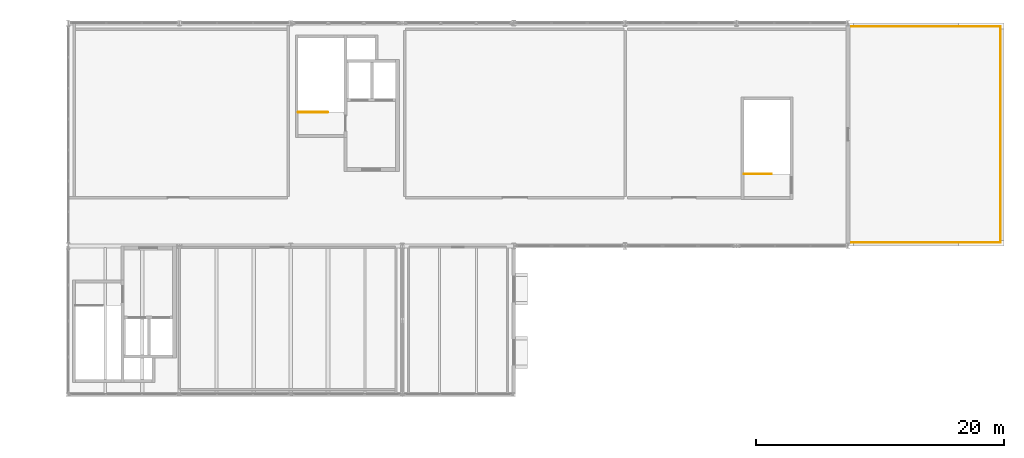
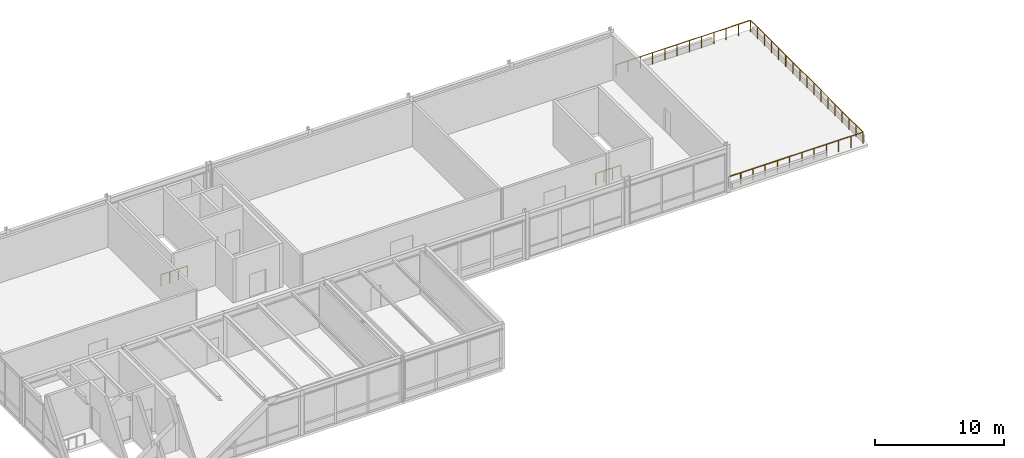
# One storey, part 67 of 67: 5 railings.
"""IFC4 building model written with IfcOpenShell, lengths in metres."""

from ifc_helpers import new_model, si_unit, direction, frame, origin, origin_2d, place, context, subcontext, project, spatial, circle, extrude, material, type_object, element, save


model = new_model("IFC4")

# Units and contexts
model_context = context("Model", 3, precision=1e-05, world=origin(), true_north=direction((0.0, 1.0)))
body_context = subcontext(model_context, "Body", "Model", "MODEL_VIEW")
ifc_project = project(units=[si_unit("LENGTHUNIT", "METRE"), si_unit("AREAUNIT", "SQUARE_METRE"), si_unit("VOLUMEUNIT", "CUBIC_METRE"), si_unit("PLANEANGLEUNIT", "RADIAN"), si_unit("MASSUNIT", "GRAM", prefix="KILO")], contexts=[model_context])

# Site, building, storey
site_placement = place(None, origin())
site = spatial("IfcSite", under=ifc_project, at=site_placement, CompositionType="ELEMENT")
building_placement = place(site_placement, origin())
building = spatial("IfcBuilding", under=site, at=building_placement, Name="Montelvaro Courts of Justice", CompositionType="ELEMENT")
storey_placement = place(building_placement, frame((0.0, 0.0, 18.89990234375)))
storey = spatial("IfcBuildingStorey", under=building, at=storey_placement, Name="L04", CompositionType="ELEMENT", Elevation=18.89990234375)

# Railings
ifc_material = material(Name="Steel S355", Category="steel")
railing_type_1 = type_object("IfcRailingType", Name="InteriorGuard_1100", PredefinedType="BALUSTRADE", material=ifc_material)
railing_1_placement = place(storey_placement, frame((117.60009765625, 88.800048828125, 0.0)))
element("IfcRailing", 1, at=railing_1_placement, inside=storey, type_object=railing_type_1, Name="Stair Well Guard GR-02 ST-K3-L03-TLG", PredefinedType="BALUSTRADE", context=body_context, shape_type="SweptSolid", body=[
    extrude(circle(Radius=0.02392578125, at=origin_2d()), frame((0.0, 0.0, 1.076171875), z_axis=(1.0, 0.0, 0.0), x_axis=(0.0, 1.0, 0.0)), (0.0, 0.0, 1.0), 2.389892578125),
    extrude(circle(Radius=0.02099609375, at=origin_2d()), origin(), (0.0, 0.0, 1.0), 1.052001953125),
    extrude(circle(Radius=0.02099609375, at=origin_2d()), frame((0.796630859375, 0.0, 0.0)), (0.0, 0.0, 1.0), 1.052001953125),
    extrude(circle(Radius=0.02099609375, at=origin_2d()), frame((1.59326171875, 0.0, 0.0)), (0.0, 0.0, 1.0), 1.052001953125),
    extrude(circle(Radius=0.02099609375, at=origin_2d()), frame((2.389892578125, 0.0, 0.0)), (0.0, 0.0, 1.0), 1.052001953125),
])
railing_2_placement = place(storey_placement, frame((153.60009765625, 83.800048828125, 0.0)))
element("IfcRailing", 2, at=railing_2_placement, inside=storey, type_object=railing_type_1, Name="Stair Well Guard GR-02 ST-V2-L03-TLG", PredefinedType="BALUSTRADE", context=body_context, shape_type="SweptSolid", body=[
    extrude(circle(Radius=0.02392578125, at=origin_2d()), frame((0.0, 0.0, 1.076171875), z_axis=(1.0, 0.0, 0.0), x_axis=(0.0, 1.0, 0.0)), (0.0, 0.0, 1.0), 2.239990234375),
    extrude(circle(Radius=0.02099609375, at=origin_2d()), origin(), (0.0, 0.0, 1.0), 1.052001953125),
    extrude(circle(Radius=0.02099609375, at=origin_2d()), frame((0.74658203125, 0.0, 0.0)), (0.0, 0.0, 1.0), 1.052001953125),
    extrude(circle(Radius=0.02099609375, at=origin_2d()), frame((1.493408203125, 0.0, 0.0)), (0.0, 0.0, 1.0), 1.052001953125),
    extrude(circle(Radius=0.02099609375, at=origin_2d()), frame((2.239990234375, 0.0, 0.0)), (0.0, 0.0, 1.0), 1.052001953125),
])
railing_type_2 = type_object("IfcRailingType", Name="TerraceGuard_1100", PredefinedType="BALUSTRADE", material=ifc_material)
railing_3_placement = place(storey_placement, frame((162.280029296875, 78.280029296875, 0.0)))
element("IfcRailing", 3, at=railing_3_placement, inside=storey, type_object=railing_type_2, Name="Terrace Balustrade Guard GR-01 (L04)", PredefinedType="BALUSTRADE", context=body_context, shape_type="SweptSolid", body=[
    extrude(circle(Radius=0.02392578125, at=origin_2d()), frame((0.0, 0.0, 1.076171875), z_axis=(1.0, 0.0, 0.0), x_axis=(0.0, 1.0, 0.0)), (0.0, 0.0, 1.0), 12.0400390625),
    extrude(circle(Radius=0.02099609375, at=origin_2d()), origin(), (0.0, 0.0, 1.0), 1.052001953125),
    extrude(circle(Radius=0.02099609375, at=origin_2d()), frame((1.094482421875, 0.0, 0.0)), (0.0, 0.0, 1.0), 1.052001953125),
    extrude(circle(Radius=0.02099609375, at=origin_2d()), frame((2.189208984375, 0.0, 0.0)), (0.0, 0.0, 1.0), 1.052001953125),
    extrude(circle(Radius=0.02099609375, at=origin_2d()), frame((3.28369140625, 0.0, 0.0)), (0.0, 0.0, 1.0), 1.052001953125),
    extrude(circle(Radius=0.02099609375, at=origin_2d()), frame((4.378173828125, 0.0, 0.0)), (0.0, 0.0, 1.0), 1.052001953125),
    extrude(circle(Radius=0.02099609375, at=origin_2d()), frame((5.47265625, 0.0, 0.0)), (0.0, 0.0, 1.0), 1.052001953125),
    extrude(circle(Radius=0.02099609375, at=origin_2d()), frame((6.5673828125, 0.0, 0.0)), (0.0, 0.0, 1.0), 1.052001953125),
    extrude(circle(Radius=0.02099609375, at=origin_2d()), frame((7.661865234375, 0.0, 0.0)), (0.0, 0.0, 1.0), 1.052001953125),
    extrude(circle(Radius=0.02099609375, at=origin_2d()), frame((8.75634765625, 0.0, 0.0)), (0.0, 0.0, 1.0), 1.052001953125),
    extrude(circle(Radius=0.02099609375, at=origin_2d()), frame((9.850830078125, 0.0, 0.0)), (0.0, 0.0, 1.0), 1.052001953125),
    extrude(circle(Radius=0.02099609375, at=origin_2d()), frame((10.945556640625, 0.0, 0.0)), (0.0, 0.0, 1.0), 1.052001953125),
    extrude(circle(Radius=0.02099609375, at=origin_2d()), frame((12.0400390625, 0.0, 0.0)), (0.0, 0.0, 1.0), 1.052001953125),
])
railing_4_placement = place(storey_placement, frame((174.320068359375, 78.280029296875, 0.0)))
element("IfcRailing", 4, at=railing_4_placement, inside=storey, type_object=railing_type_2, Name="Terrace Balustrade Guard GR-01 (L04)", PredefinedType="BALUSTRADE", context=body_context, shape_type="SweptSolid", body=[
    extrude(circle(Radius=0.02392578125, at=origin_2d()), frame((0.0, 0.0, 1.076171875), z_axis=(0.0, 1.0, 0.0), x_axis=(-1.0, 0.0, 0.0)), (0.0, 0.0, 1.0), 17.43994140625),
    extrude(circle(Radius=0.02099609375, at=origin_2d()), origin(), (0.0, 0.0, 1.0), 1.052001953125),
    extrude(circle(Radius=0.02099609375, at=origin_2d()), frame((0.0, 1.090087890625, 0.0)), (0.0, 0.0, 1.0), 1.052001953125),
    extrude(circle(Radius=0.02099609375, at=origin_2d()), frame((0.0, 2.179931640625, 0.0)), (0.0, 0.0, 1.0), 1.052001953125),
    extrude(circle(Radius=0.02099609375, at=origin_2d()), frame((0.0, 3.27001953125, 0.0)), (0.0, 0.0, 1.0), 1.052001953125),
    extrude(circle(Radius=0.02099609375, at=origin_2d()), frame((0.0, 4.35986328125, 0.0)), (0.0, 0.0, 1.0), 1.052001953125),
    extrude(circle(Radius=0.02099609375, at=origin_2d()), frame((0.0, 5.449951171875, 0.0)), (0.0, 0.0, 1.0), 1.052001953125),
    extrude(circle(Radius=0.02099609375, at=origin_2d()), frame((0.0, 6.5400390625, 0.0)), (0.0, 0.0, 1.0), 1.052001953125),
    extrude(circle(Radius=0.02099609375, at=origin_2d()), frame((0.0, 7.6298828125, 0.0)), (0.0, 0.0, 1.0), 1.052001953125),
    extrude(circle(Radius=0.02099609375, at=origin_2d()), frame((0.0, 8.719970703125, 0.0)), (0.0, 0.0, 1.0), 1.052001953125),
    extrude(circle(Radius=0.02099609375, at=origin_2d()), frame((0.0, 9.81005859375, 0.0)), (0.0, 0.0, 1.0), 1.052001953125),
    extrude(circle(Radius=0.02099609375, at=origin_2d()), frame((0.0, 10.89990234375, 0.0)), (0.0, 0.0, 1.0), 1.052001953125),
    extrude(circle(Radius=0.02099609375, at=origin_2d()), frame((0.0, 11.989990234375, 0.0)), (0.0, 0.0, 1.0), 1.052001953125),
    extrude(circle(Radius=0.02099609375, at=origin_2d()), frame((0.0, 13.080078125, 0.0)), (0.0, 0.0, 1.0), 1.052001953125),
    extrude(circle(Radius=0.02099609375, at=origin_2d()), frame((0.0, 14.169921875, 0.0)), (0.0, 0.0, 1.0), 1.052001953125),
    extrude(circle(Radius=0.02099609375, at=origin_2d()), frame((0.0, 15.260009765625, 0.0)), (0.0, 0.0, 1.0), 1.052001953125),
    extrude(circle(Radius=0.02099609375, at=origin_2d()), frame((0.0, 16.349853515625, 0.0)), (0.0, 0.0, 1.0), 1.052001953125),
    extrude(circle(Radius=0.02099609375, at=origin_2d()), frame((0.0, 17.43994140625, 0.0)), (0.0, 0.0, 1.0), 1.052001953125),
])
railing_5_placement = place(storey_placement, frame((174.320068359375, 95.719970703125, 0.0)))
element("IfcRailing", 5, at=railing_5_placement, inside=storey, type_object=railing_type_2, Name="Terrace Balustrade Guard GR-01 (L04)", PredefinedType="BALUSTRADE", context=body_context, shape_type="SweptSolid", body=[
    extrude(circle(Radius=0.02392578125, at=origin_2d()), frame((0.0, 0.0, 1.076171875), z_axis=(-1.0, 0.0, 0.0), x_axis=(0.0, -1.0, 0.0)), (0.0, 0.0, 1.0), 12.0400390625),
    extrude(circle(Radius=0.02099609375, at=origin_2d()), origin(), (0.0, 0.0, 1.0), 1.052001953125),
    extrude(circle(Radius=0.02099609375, at=origin_2d()), frame((-1.094482421875, 0.0, 0.0)), (0.0, 0.0, 1.0), 1.052001953125),
    extrude(circle(Radius=0.02099609375, at=origin_2d()), frame((-2.189208984375, 0.0, 0.0)), (0.0, 0.0, 1.0), 1.052001953125),
    extrude(circle(Radius=0.02099609375, at=origin_2d()), frame((-3.28369140625, 0.0, 0.0)), (0.0, 0.0, 1.0), 1.052001953125),
    extrude(circle(Radius=0.02099609375, at=origin_2d()), frame((-4.378173828125, 0.0, 0.0)), (0.0, 0.0, 1.0), 1.052001953125),
    extrude(circle(Radius=0.02099609375, at=origin_2d()), frame((-5.47265625, 0.0, 0.0)), (0.0, 0.0, 1.0), 1.052001953125),
    extrude(circle(Radius=0.02099609375, at=origin_2d()), frame((-6.5673828125, 0.0, 0.0)), (0.0, 0.0, 1.0), 1.052001953125),
    extrude(circle(Radius=0.02099609375, at=origin_2d()), frame((-7.661865234375, 0.0, 0.0)), (0.0, 0.0, 1.0), 1.052001953125),
    extrude(circle(Radius=0.02099609375, at=origin_2d()), frame((-8.75634765625, 0.0, 0.0)), (0.0, 0.0, 1.0), 1.052001953125),
    extrude(circle(Radius=0.02099609375, at=origin_2d()), frame((-9.850830078125, 0.0, 0.0)), (0.0, 0.0, 1.0), 1.052001953125),
    extrude(circle(Radius=0.02099609375, at=origin_2d()), frame((-10.945556640625, 0.0, 0.0)), (0.0, 0.0, 1.0), 1.052001953125),
    extrude(circle(Radius=0.02099609375, at=origin_2d()), frame((-12.0400390625, 0.0, 0.0)), (0.0, 0.0, 1.0), 1.052001953125),
])

save(model, "model.ifc")
